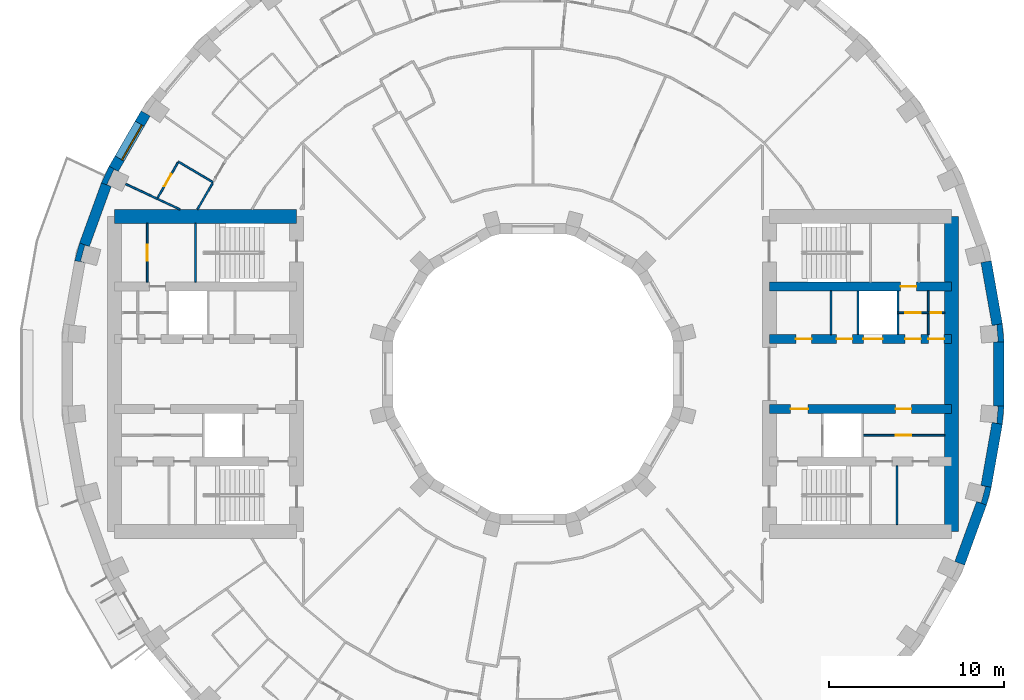
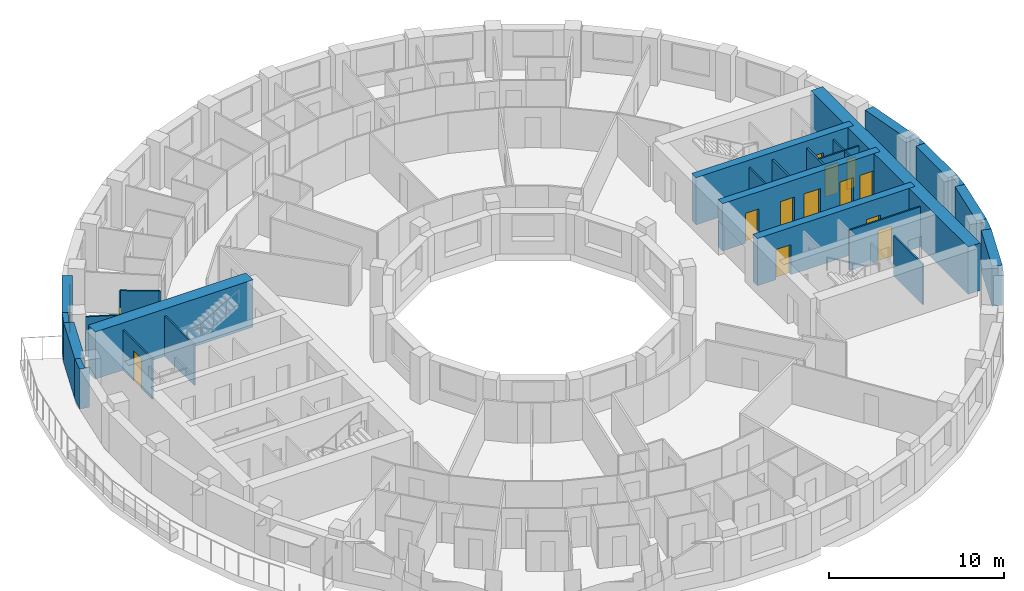
# One storey, part 7 of 13: 30 walls, 13 doors, 1 window, 14 openings.
"""IFC4 building model written with IfcOpenShell, lengths in metres."""

from ifc_helpers import new_model, si_unit, direction, frame, frame_2d, origin, place, context, subcontext, project, spatial, polyline, rectangle, outline, extrude, material, layer, layer_set, type_object, element, fill, save


model = new_model("IFC4")

# Units and contexts
model_context = context("Model", 3, precision=1e-05, world=origin(), true_north=direction((0.0, 1.0)))
body_context = subcontext(model_context, "Body", "Model", "MODEL_VIEW")
ifc_project = project(units=[si_unit("LENGTHUNIT", "METRE"), si_unit("AREAUNIT", "SQUARE_METRE"), si_unit("VOLUMEUNIT", "CUBIC_METRE"), si_unit("PLANEANGLEUNIT", "RADIAN"), si_unit("MASSUNIT", "GRAM", prefix="KILO")], contexts=[model_context])

# Site, building, storey
site_placement = place(None, origin())
site = spatial("IfcSite", under=ifc_project, at=site_placement, CompositionType="ELEMENT")
building_placement = place(site_placement, origin())
building = spatial("IfcBuilding", under=site, at=building_placement, Name="Saqina Gate Tower", CompositionType="ELEMENT")
storey_placement = place(building_placement, frame((0.0, 0.0, 118.300048828125)))
storey = spatial("IfcBuildingStorey", under=building, at=storey_placement, Name="L33", CompositionType="ELEMENT", Elevation=118.300048828125)

# Walls
ifc_material_1 = material(Name="Brick masonry (buff)", Category="masonry")
wall_type_1 = type_object("IfcWallType", Name="BRICK PIER COPING BUFF", PredefinedType="SOLIDWALL", material=ifc_material_1)
wall_1_placement = place(storey_placement, origin())
element("IfcWall", 1, at=wall_1_placement, inside=storey, type_object=wall_type_1, Name="Pier cap L33 column 1", PredefinedType="SOLIDWALL", context=body_context, shape_type="SweptSolid", body=[
    extrude(outline(polyline([(26.805419921875, 2.87451171875), (26.214599609375, 2.770263671875), (26.482421875, 2.793701171875), (26.565185546875, 1.847412109375), (26.29736328125, 1.823974609375), (26.897216796875, 1.823974609375), (26.805419921875, 2.87451171875)])), origin(), (0.0, 0.0, 1.0), 2.800048828125),
])
wall_2_placement = place(storey_placement, origin())
element("IfcWall", 2, at=wall_2_placement, inside=storey, type_object=wall_type_1, Name="Pier cap L33 column 16", PredefinedType="SOLIDWALL", context=body_context, shape_type="SweptSolid", body=[
    extrude(outline(polyline([(-24.6513671875, 10.913330078125), (-24.08740234375, 10.7080078125), (-24.331298828125, 10.82177734375), (-23.9296875, 11.6826171875), (-23.68603515625, 11.569091796875), (-24.205810546875, 11.869140625), (-24.6513671875, 10.913330078125)])), origin(), (0.0, 0.0, 1.0), 2.800048828125),
])
wall_3_placement = place(storey_placement, origin())
element("IfcWall", 3, at=wall_3_placement, inside=storey, type_object=wall_type_1, Name="Pier cap L33 column 17", PredefinedType="SOLIDWALL", context=body_context, shape_type="SweptSolid", body=[
    extrude(outline(polyline([(-25.89892578125, 7.485595703125), (-26.171875, 6.466796875), (-25.5810546875, 6.36279296875), (-25.8408203125, 6.43212890625), (-25.5947265625, 7.349853515625), (-25.335205078125, 7.2802734375), (-25.89892578125, 7.485595703125)])), origin(), (0.0, 0.0, 1.0), 2.800048828125),
])
wall_4_placement = place(storey_placement, origin())
element("IfcWall", 4, at=wall_4_placement, inside=storey, type_object=wall_type_1, Name="Pier cap L33 column 35", PredefinedType="SOLIDWALL", context=body_context, shape_type="SweptSolid", body=[
    extrude(outline(polyline([(25.89892578125, -7.485595703125), (26.171875, -6.466796875), (25.5810546875, -6.36279296875), (25.8408203125, -6.43212890625), (25.5947265625, -7.349853515625), (25.335205078125, -7.2802734375), (25.89892578125, -7.485595703125)])), origin(), (0.0, 0.0, 1.0), 2.800048828125),
])
wall_5_placement = place(storey_placement, origin())
element("IfcWall", 5, at=wall_5_placement, inside=storey, type_object=wall_type_1, Name="Pier cap L33 column 36", PredefinedType="SOLIDWALL", context=body_context, shape_type="SweptSolid", body=[
    extrude(outline(polyline([(26.805419921875, -2.87451171875), (26.897216796875, -1.823974609375), (26.29736328125, -1.823974609375), (26.565185546875, -1.847412109375), (26.482421875, -2.793701171875), (26.214599609375, -2.770263671875), (26.805419921875, -2.87451171875)])), origin(), (0.0, 0.0, 1.0), 2.800048828125),
])
ifc_material_2 = material(Name="Gypsum board on steel studs", Category="steel")
ifc_layer_1 = layer(ifc_material_2, 0.10009765625)
ifc_layer_set_1 = layer_set([ifc_layer_1], Name="CORE PARTITION")
wall_type_2 = type_object("IfcWallType", Name="CORE PARTITION", PredefinedType="PARTITIONING", material=ifc_layer_set_1)
for number, where, z_axis, x_axis, name in (
    (6, (17.022216796875, 2.25, 0.0), (0.0, 0.0, 1.0), (0.0, 1.0, 0.0), "L33-CP-E01"),
    (7, (22.569091796875, 2.25, 0.0), (0.0, 0.0, 1.0), (0.0, 1.0, 0.0), "L33-CP-E04"),
):
    element("IfcWall", number, at=place(storey_placement, frame(where, z_axis=z_axis, x_axis=x_axis)), inside=storey, type_object=wall_type_2, Name=name, PredefinedType="PARTITIONING", context=body_context, shape_type="SweptSolid", body=[
        extrude(rectangle(XDim=2.5, YDim=0.10009765625, at=frame_2d((1.25, 0.0))), origin(), (0.0, 0.0, 1.0), 2.800048828125),
    ])

# Wall, opening, door
wall_6_placement = place(storey_placement, frame((20.840087890625, 3.5, 0.0), z_axis=(0.0, 0.0, 1.0), x_axis=(1.0, 0.0, 0.0)))
wall_6 = element("IfcWall", 8, at=wall_6_placement, inside=storey, type_object=wall_type_2, Name="L33-CP-E07", PredefinedType="PARTITIONING", context=body_context, shape_type="SweptSolid", body=[
    extrude(rectangle(XDim=1.72900390625, YDim=0.10009765625, at=frame_2d((0.864501953125, 0.0))), origin(), (0.0, 0.0, 1.0), 2.800048828125),
])
opening_1_placement = place(wall_6_placement, frame((0.41455078125, 0.0, 0.0)))
opening_1 = element("IfcOpeningElement", 9, at=opening_1_placement, cuts=wall_6, Name="Opening G09-D97", PredefinedType="OPENING", context=body_context, shape_type="SweptSolid", body=[
    extrude(rectangle(XDim=0.89990234375, YDim=2.10009765625, at=frame_2d((0.449951171875, 1.050048828125))), frame((0.0, 0.06201171875, 0.0), z_axis=(0.0, -1.0, 0.0), x_axis=(1.0, 0.0, 0.0)), (0.0, 0.0, 1.0), 0.1240234375),
])
ifc_material_3 = material(Name="Steel-framed fire door leaf, EI 60", Category="steel")
door_type_1 = type_object("IfcDoorType", Name="SERVICE ROOM DOOR 900", OperationType="SINGLE_SWING_LEFT", PredefinedType="DOOR", material=ifc_material_3)
door_1_placement = place(opening_1_placement, origin())
door_1 = element("IfcDoor", 10, at=door_1_placement, inside=storey, type_object=door_type_1, Name="L33-CD-E08", OperationType="SINGLE_SWING_LEFT", OverallHeight=2.10009765625, OverallWidth=0.89990234375, PredefinedType="DOOR", context=body_context, shape_type="SweptSolid", body=[
    extrude(rectangle(XDim=0.89990234375, YDim=2.10009765625, at=frame_2d((0.449951171875, 1.050048828125))), frame((0.0, 0.02490234375, 0.0), z_axis=(0.0, -1.0, 0.0), x_axis=(1.0, 0.0, 0.0)), (0.0, 0.0, 1.0), 0.050048828125),
])
fill(opening_1, door_1)

wall_7_placement = place(storey_placement, frame((22.569091796875, 3.5, 0.0), z_axis=(0.0, 0.0, 1.0), x_axis=(1.0, 0.0, 0.0)))
wall_7 = element("IfcWall", 11, at=wall_7_placement, inside=storey, type_object=wall_type_2, Name="L33-CP-E08", PredefinedType="PARTITIONING", context=body_context, shape_type="SweptSolid", body=[
    extrude(rectangle(XDim=0.930908203125, YDim=0.10009765625, at=frame_2d((0.46533203125, 0.0))), origin(), (0.0, 0.0, 1.0), 2.800048828125),
])
opening_2_placement = place(wall_7_placement, frame((0.14990234375, 0.0, 0.0)))
opening_2 = element("IfcOpeningElement", 12, at=opening_2_placement, cuts=wall_7, Name="Opening G09-D96", PredefinedType="OPENING", context=body_context, shape_type="SweptSolid", body=[
    extrude(rectangle(XDim=0.60009765625, YDim=2.10009765625, at=frame_2d((0.300048828125, 1.050048828125))), frame((0.0, 0.06201171875, 0.0), z_axis=(0.0, -1.0, 0.0), x_axis=(1.0, 0.0, 0.0)), (0.0, 0.0, 1.0), 0.1240234375),
])
ifc_material_4 = material(Name="Steel-framed fire door leaf, EI 60", Category="steel")
door_type_2 = type_object("IfcDoorType", Name="SERVICE ROOM DOOR 600", OperationType="SINGLE_SWING_LEFT", PredefinedType="DOOR", material=ifc_material_4)
door_2_placement = place(opening_2_placement, origin())
door_2 = element("IfcDoor", 13, at=door_2_placement, inside=storey, type_object=door_type_2, Name="L33-CD-E07", OperationType="SINGLE_SWING_RIGHT", OverallHeight=2.10009765625, OverallWidth=0.60009765625, PredefinedType="DOOR", context=body_context, shape_type="SweptSolid", body=[
    extrude(rectangle(XDim=0.60009765625, YDim=2.10009765625, at=frame_2d((0.300048828125, 1.050048828125))), frame((0.0, 0.02490234375, 0.0), z_axis=(0.0, -1.0, 0.0), x_axis=(1.0, 0.0, 0.0)), (0.0, 0.0, 1.0), 0.050048828125),
])
fill(opening_2, door_2)

wall_8_placement = place(storey_placement, frame((18.81005859375, -3.5, 0.0), z_axis=(0.0, 0.0, 1.0), x_axis=(1.0, 0.0, 0.0)))
wall_8 = element("IfcWall", 14, at=wall_8_placement, inside=storey, type_object=wall_type_2, Name="L33-CP-E09", PredefinedType="PARTITIONING", context=body_context, shape_type="SweptSolid", body=[
    extrude(rectangle(XDim=4.68994140625, YDim=0.10009765625, at=frame_2d((2.344970703125, 0.0))), origin(), (0.0, 0.0, 1.0), 2.800048828125),
])
opening_3_placement = place(wall_8_placement, frame((1.89501953125, 0.0, 0.0)))
opening_3 = element("IfcOpeningElement", 15, at=opening_3_placement, cuts=wall_8, Name="Opening G09-D100", PredefinedType="OPENING", context=body_context, shape_type="SweptSolid", body=[
    extrude(rectangle(XDim=0.89990234375, YDim=2.10009765625, at=frame_2d((0.449951171875, 1.050048828125))), frame((0.0, 0.06201171875, 0.0), z_axis=(0.0, -1.0, 0.0), x_axis=(1.0, 0.0, 0.0)), (0.0, 0.0, 1.0), 0.1240234375),
])
door_3_placement = place(opening_3_placement, frame((0.89990234375, 0.0, 0.0), z_axis=(0.0, 0.0, 1.0), x_axis=(-1.0, 0.0, 0.0)))
door_3 = element("IfcDoor", 16, at=door_3_placement, inside=storey, type_object=door_type_1, Name="L33-CD-E11", OperationType="SINGLE_SWING_RIGHT", OverallHeight=2.10009765625, OverallWidth=0.89990234375, PredefinedType="DOOR", context=body_context, shape_type="SweptSolid", body=[
    extrude(rectangle(XDim=0.89990234375, YDim=2.10009765625, at=frame_2d((0.449951171875, 1.050048828125))), frame((0.0, 0.02490234375, 0.0), z_axis=(0.0, -1.0, 0.0), x_axis=(1.0, 0.0, 0.0)), (0.0, 0.0, 1.0), 0.050048828125),
])
fill(opening_3, door_3)

# Wall
wall_9_placement = place(storey_placement, frame((20.782958984375, -8.60009765625, 0.0), z_axis=(0.0, 0.0, 1.0), x_axis=(0.0, 1.0, 0.0)))
element("IfcWall", 17, at=wall_9_placement, inside=storey, type_object=wall_type_2, Name="L33-CP-E13", PredefinedType="PARTITIONING", context=body_context, shape_type="SweptSolid", body=[
    extrude(rectangle(XDim=3.35009765625, YDim=0.10009765625, at=frame_2d((1.675048828125, 0.0))), origin(), (0.0, 0.0, 1.0), 2.800048828125),
])

# Wall, opening, door
wall_10_placement = place(storey_placement, frame((-22.037109375, 5.25, 0.0), z_axis=(0.0, 0.0, 1.0), x_axis=(0.0, 1.0, 0.0)))
wall_10 = element("IfcWall", 18, at=wall_10_placement, inside=storey, type_object=wall_type_2, Name="L33-CP-W11", PredefinedType="PARTITIONING", context=body_context, shape_type="SweptSolid", body=[
    extrude(rectangle(XDim=3.35009765625, YDim=0.10009765625, at=frame_2d((1.675048828125, 0.0))), origin(), (0.0, 0.0, 1.0), 2.800048828125),
])
opening_4_placement = place(wall_10_placement, frame((1.22509765625, 0.0, 0.0)))
opening_4 = element("IfcOpeningElement", 19, at=opening_4_placement, cuts=wall_10, Name="Opening G09-D115", PredefinedType="OPENING", context=body_context, shape_type="SweptSolid", body=[
    extrude(rectangle(XDim=0.89990234375, YDim=2.10009765625, at=frame_2d((0.449951171875, 1.050048828125))), frame((0.0, 0.06201171875, 0.0), z_axis=(0.0, -1.0, 0.0), x_axis=(1.0, 0.0, 0.0)), (0.0, 0.0, 1.0), 0.1240234375),
])
door_4_placement = place(opening_4_placement, frame((0.89990234375, 0.0, 0.0), z_axis=(0.0, 0.0, 1.0), x_axis=(-1.0, 0.0, 0.0)))
door_4 = element("IfcDoor", 20, at=door_4_placement, inside=storey, type_object=door_type_1, Name="L33-CD-W26", OperationType="SINGLE_SWING_LEFT", OverallHeight=2.10009765625, OverallWidth=0.89990234375, PredefinedType="DOOR", context=body_context, shape_type="SweptSolid", body=[
    extrude(rectangle(XDim=0.89990234375, YDim=2.10009765625, at=frame_2d((0.449951171875, 1.050048828125))), frame((0.0, 0.02490234375, 0.0), z_axis=(0.0, -1.0, 0.0), x_axis=(1.0, 0.0, 0.0)), (0.0, 0.0, 1.0), 0.050048828125),
])
fill(opening_4, door_4)

# Wall, opening, window
ifc_material_5 = material(Name="Brick masonry (buff)", Category="masonry")
ifc_layer_2 = layer(ifc_material_5, 0.60009765625)
ifc_layer_set_2 = layer_set([ifc_layer_2], Name="FW-BRICK-BUFF")
wall_type_3 = type_object("IfcWallType", Name="FW-BRICK-BUFF", PredefinedType="SOLIDWALL", material=ifc_layer_set_2)
wall_11_placement = place(storey_placement, frame((-22.1220703125, 14.878173828125, 0.0), z_axis=(0.0, 0.0, 1.0), x_axis=(-0.499954196102, -0.866051847062, 0.0)))
wall_11 = element("IfcWall", 21, at=wall_11_placement, inside=storey, type_object=wall_type_3, Name="Facade wall L33 facet 15", PredefinedType="SOLIDWALL", context=body_context, shape_type="SweptSolid", body=[
    extrude(rectangle(XDim=3.647705078125, YDim=0.60009765625, at=frame_2d((1.82373046875, 0.0))), origin(), (0.0, 0.0, 1.0), 2.800048828125),
])
opening_5_placement = place(wall_11_placement, frame((0.673828125, 0.0, 0.89990234375)))
opening_5 = element("IfcOpeningElement", 22, at=opening_5_placement, cuts=wall_11, Name="Opening G09-W13", PredefinedType="OPENING", context=body_context, shape_type="SweptSolid", body=[
    extrude(rectangle(XDim=2.300048828125, YDim=1.800048828125, at=frame_2d((1.14990234375, 0.89990234375))), frame((0.0, 0.31201171875, 0.0), z_axis=(0.0, -1.0, 0.0), x_axis=(1.0, 0.0, 0.0)), (0.0, 0.0, 1.0), 0.6240234375),
])
ifc_material_6 = material(Name="Aluminium glazing", Category="aluminium")
window_type = type_object("IfcWindowType", Name="WN-B", PartitioningType="SINGLE_PANEL", PredefinedType="WINDOW", material=ifc_material_6)
window_placement = place(opening_5_placement, origin())
window = element("IfcWindow", 23, at=window_placement, inside=storey, type_object=window_type, Name="Window L33 facet 15", OverallHeight=1.800048828125, OverallWidth=2.300048828125, PartitioningType="SINGLE_PANEL", PredefinedType="WINDOW", context=body_context, shape_type="SweptSolid", body=[
    extrude(rectangle(XDim=2.300048828125, YDim=1.800048828125, at=frame_2d((1.14990234375, 0.89990234375))), frame((0.0, 0.179931640625, 0.0), z_axis=(0.0, -1.0, 0.0), x_axis=(1.0, 0.0, 0.0)), (0.0, 0.0, 1.0), 0.06005859375),
])
fill(opening_5, window)

# Walls
ifc_material_7 = material(Name="Glazed ceramic tile", Category="ceramic")
ifc_layer_3 = layer(ifc_material_7, 0.60009765625)
ifc_layer_set_3 = layer_set([ifc_layer_3], Name="FW-TILE")
wall_type_4 = type_object("IfcWallType", Name="FW-TILE", PredefinedType="SOLIDWALL", material=ifc_layer_set_3)
for number, where, z_axis, x_axis, name in (
    (24, (-24.369384765625, 10.810791015625, 0.0), (0.0, 0.0, 1.0), (-0.341990236633, -0.939703505393, 0.0), "Facade wall L33 facet 16"),
    (25, (24.369384765625, -10.810791015625, 0.0), (0.0, 0.0, 1.0), (0.341990236633, 0.939703505393, 0.0), "Facade wall L33 facet 34"),
    (26, (26.59716796875, -1.823974609375, 0.0), (0.0, 0.0, 1.0), (0.0, 1.0, 0.0), "Facade wall L33 facet 36"),
):
    element("IfcWall", number, at=place(storey_placement, frame(where, z_axis=z_axis, x_axis=x_axis)), inside=storey, type_object=wall_type_4, Name=name, PredefinedType="SOLIDWALL", context=body_context, shape_type="SweptSolid", body=[
        extrude(rectangle(XDim=3.64794921875, YDim=0.60009765625, at=frame_2d((1.823974609375, 0.0))), origin(), (0.0, 0.0, 1.0), 2.800048828125),
    ])
ifc_material_8 = material(Name="Glazed ceramic tile (dark blue)", Category="ceramic")
ifc_layer_4 = layer(ifc_material_8, 0.60009765625)
ifc_layer_set_4 = layer_set([ifc_layer_4], Name="FW-TILE-CB")
wall_type_5 = type_object("IfcWallType", Name="FW-TILE-CB", PredefinedType="SOLIDWALL", material=ifc_layer_set_4)
wall_12_placement = place(storey_placement, frame((26.510009765625, 2.822265625, 0.0), z_axis=(0.0, 0.0, 1.0), x_axis=(-0.173670796382, 0.984803764455, 0.0)))
element("IfcWall", 27, at=wall_12_placement, inside=storey, type_object=wall_type_5, Name="Facade wall L33 facet 1", PredefinedType="SOLIDWALL", context=body_context, shape_type="SweptSolid", body=[
    extrude(rectangle(XDim=3.64794921875, YDim=0.60009765625, at=frame_2d((1.823974609375, 0.0))), origin(), (0.0, 0.0, 1.0), 2.800048828125),
])
ifc_material_9 = material(Name="Glazed ceramic tile (white)", Category="ceramic")
ifc_layer_5 = layer(ifc_material_9, 0.60009765625)
ifc_layer_set_5 = layer_set([ifc_layer_5], Name="FW-TILE-WH")
wall_type_6 = type_object("IfcWallType", Name="FW-TILE-WH", PredefinedType="SOLIDWALL", material=ifc_layer_set_5)
wall_13_placement = place(storey_placement, frame((25.87646484375, -6.414794921875, 0.0), z_axis=(0.0, 0.0, 1.0), x_axis=(0.173670796382, 0.984803764455, 0.0)))
element("IfcWall", 28, at=wall_13_placement, inside=storey, type_object=wall_type_6, Name="Facade wall L33 facet 35", PredefinedType="SOLIDWALL", context=body_context, shape_type="SweptSolid", body=[
    extrude(rectangle(XDim=3.64794921875, YDim=0.60009765625, at=frame_2d((1.823974609375, 0.0))), origin(), (0.0, 0.0, 1.0), 2.800048828125),
])
ifc_material_10 = material(Name="Gypsum board on steel studs, 100 mm", Category="steel")
ifc_layer_6 = layer(ifc_material_10, 0.10009765625)
ifc_layer_set_6 = layer_set([ifc_layer_6], Name="PARTITION 100")
wall_type_7 = type_object("IfcWallType", Name="PARTITION 100", PredefinedType="PARTITIONING", material=ifc_layer_set_6)
wall_14_placement = place(storey_placement, frame((-20.2470703125, 12.1259765625, 0.0), z_axis=(0.0, 0.0, 1.0), x_axis=(0.857988737522, -0.513668498435, 0.0)))
element("IfcWall", 29, at=wall_14_placement, inside=storey, type_object=wall_type_7, Name="PARTITION PW3-30", PredefinedType="PARTITIONING", context=body_context, shape_type="SweptSolid", body=[
    extrude(rectangle(XDim=2.30078125, YDim=0.10009765625, at=frame_2d((1.150390625, 0.0))), origin(), (0.0, 0.0, 1.0), 2.800048828125),
])
wall_15_placement = place(storey_placement, frame((-23.26025390625, 10.846923828125, 0.0), z_axis=(0.0, 0.0, 1.0), x_axis=(0.906263293643, -0.422713665021, 0.0)))
element("IfcWall", 30, at=wall_15_placement, inside=storey, type_object=wall_type_7, Name="PARTITION PW3-37", PredefinedType="PARTITIONING", context=body_context, shape_type="SweptSolid", body=[
    extrude(rectangle(XDim=3.423095703125, YDim=0.10009765625, at=frame_2d((1.71142578125, 0.0))), origin(), (0.0, 0.0, 1.0), 2.800048828125),
])
wall_16_placement = place(storey_placement, frame((-19.1650390625, 9.39990234375, 0.0), z_axis=(0.0, 0.0, 1.0), x_axis=(0.500214230422, 0.865901682458, 0.0)))
element("IfcWall", 31, at=wall_16_placement, inside=storey, type_object=wall_type_7, Name="PARTITION PW3-89", PredefinedType="PARTITIONING", context=body_context, shape_type="SweptSolid", body=[
    extrude(rectangle(XDim=1.733154296875, YDim=0.10009765625, at=frame_2d((0.86669921875, 0.0))), origin(), (0.0, 0.0, 1.0), 2.800048828125),
])

# Wall, opening, door
wall_17_placement = place(storey_placement, frame((-21.443115234375, 10.05419921875, 0.0), z_axis=(0.0, 0.0, 1.0), x_axis=(0.499984100898, 0.86603458294, 0.0)))
wall_17 = element("IfcWall", 32, at=wall_17_placement, inside=storey, type_object=wall_type_7, Name="PARTITION PW3-90", PredefinedType="PARTITIONING", context=body_context, shape_type="SweptSolid", body=[
    extrude(rectangle(XDim=2.34228515625, YDim=0.10009765625, at=frame_2d((1.171142578125, 0.0))), origin(), (0.0, 0.0, 1.0), 2.800048828125),
])
opening_6_placement = place(wall_17_placement, frame((0.77099609375, 0.0, 0.0)))
opening_6 = element("IfcOpeningElement", 33, at=opening_6_placement, cuts=wall_17, Name="Opening G09-D28", PredefinedType="OPENING", context=body_context, shape_type="SweptSolid", body=[
    extrude(rectangle(XDim=0.800048828125, YDim=2.10009765625, at=frame_2d((0.39990234375, 1.050048828125))), frame((0.0, 0.06201171875, 0.0), z_axis=(0.0, -1.0, 0.0), x_axis=(1.0, 0.0, 0.0)), (0.0, 0.0, 1.0), 0.1240234375),
])
ifc_material_11 = material(Name="Timber door leaf, 800 mm", Category="wood")
door_type_3 = type_object("IfcDoorType", Name="DOOR 800 TIMBER", OperationType="SINGLE_SWING_LEFT", PredefinedType="DOOR", material=ifc_material_11)
door_5_placement = place(opening_6_placement, origin())
door_5 = element("IfcDoor", 34, at=door_5_placement, inside=storey, type_object=door_type_3, Name="DOOR G09-D28", OperationType="SINGLE_SWING_RIGHT", OverallHeight=2.10009765625, OverallWidth=0.800048828125, PredefinedType="DOOR", context=body_context, shape_type="SweptSolid", body=[
    extrude(rectangle(XDim=0.800048828125, YDim=2.10009765625, at=frame_2d((0.39990234375, 1.050048828125))), frame((0.0, 0.02490234375, 0.0), z_axis=(0.0, -1.0, 0.0), x_axis=(1.0, 0.0, 0.0)), (0.0, 0.0, 1.0), 0.050048828125),
])
fill(opening_6, door_5)

# Walls
ifc_material_12 = material(Name="Autoclaved aerated concrete block", Category="concrete")
ifc_layer_7 = layer(ifc_material_12, 0.1201171875)
ifc_layer_set_7 = layer_set([ifc_layer_7], Name="SHAFT PARTITION")
wall_type_8 = type_object("IfcWallType", Name="SHAFT PARTITION", PredefinedType="PARTITIONING", material=ifc_layer_set_7)
for number, where, z_axis, x_axis, name in (
    (35, (18.56005859375, 2.25, 0.0), (0.0, 0.0, 1.0), (0.0, 1.0, 0.0), "L33-CP-E02"),
    (36, (20.840087890625, 2.25, 0.0), (0.0, 0.0, 1.0), (0.0, 1.0, 0.0), "L33-CP-E03"),
):
    element("IfcWall", number, at=place(storey_placement, frame(where, z_axis=z_axis, x_axis=x_axis)), inside=storey, type_object=wall_type_8, Name=name, PredefinedType="PARTITIONING", context=body_context, shape_type="SweptSolid", body=[
        extrude(rectangle(XDim=2.5, YDim=0.1201171875, at=frame_2d((1.25, 0.0))), origin(), (0.0, 0.0, 1.0), 2.800048828125),
    ])
ifc_material_13 = material(Name="Autoclaved aerated concrete block", Category="concrete")
ifc_layer_8 = layer(ifc_material_13, 0.10009765625)
ifc_layer_set_8 = layer_set([ifc_layer_8], Name="STAIR ENCLOSURE WALL")
wall_type_9 = type_object("IfcWallType", Name="STAIR ENCLOSURE WALL", PredefinedType="PARTITIONING", material=ifc_layer_set_8)
wall_18_placement = place(storey_placement, frame((-19.27001953125, 5.25, 0.0), z_axis=(0.0, 0.0, 1.0), x_axis=(0.0, 1.0, 0.0)))
element("IfcWall", 37, at=wall_18_placement, inside=storey, type_object=wall_type_9, Name="L33-CP-W10", PredefinedType="PARTITIONING", context=body_context, shape_type="SweptSolid", body=[
    extrude(rectangle(XDim=3.35009765625, YDim=0.10009765625, at=frame_2d((1.675048828125, 0.0))), origin(), (0.0, 0.0, 1.0), 2.800048828125),
])

# Wall, opening, door
ifc_material_14 = material(Name="Concrete C70/85", Category="concrete")
ifc_layer_9 = layer(ifc_material_14, 0.5)
ifc_layer_set_9 = layer_set([ifc_layer_9], Name="Concrete C70/85")
wall_type_10 = type_object("IfcWallType", Name="STR-CORE WALL-B-I", PredefinedType="SHEAR", material=ifc_layer_set_9)
wall_19_placement = place(storey_placement, frame((13.5, 5.0, 0.0), z_axis=(0.0, 0.0, 1.0), x_axis=(1.0, 0.0, 0.0)))
wall_19 = element("IfcWall", 38, at=wall_19_placement, inside=storey, type_object=wall_type_10, Name="CORE WALL L33 E-X1", PredefinedType="SHEAR", context=body_context, shape_type="SweptSolid", body=[
    extrude(rectangle(XDim=10.39990234375, YDim=0.5, at=frame_2d((5.199951171875, 0.0))), origin(), (0.0, 0.0, 1.0), 3.300048828125),
])
opening_7_placement = place(wall_19_placement, frame((7.488525390625, 0.0, 0.0)))
opening_7 = element("IfcOpeningElement", 39, at=opening_7_placement, cuts=wall_19, Name="Opening G09-D99", PredefinedType="OPENING", context=body_context, shape_type="SweptSolid", body=[
    extrude(rectangle(XDim=0.89990234375, YDim=2.10009765625, at=frame_2d((0.449951171875, 1.050048828125))), frame((0.0, 0.261962890625, 0.0), z_axis=(0.0, -1.0, 0.0), x_axis=(1.0, 0.0, 0.0)), (0.0, 0.0, 1.0), 0.52392578125),
])
door_6_placement = place(opening_7_placement, origin())
door_6 = element("IfcDoor", 40, at=door_6_placement, inside=storey, type_object=door_type_1, Name="L33-CD-E10", OperationType="SINGLE_SWING_RIGHT", OverallHeight=2.10009765625, OverallWidth=0.89990234375, PredefinedType="DOOR", context=body_context, shape_type="SweptSolid", body=[
    extrude(rectangle(XDim=0.89990234375, YDim=2.10009765625, at=frame_2d((0.449951171875, 1.050048828125))), frame((0.0, 0.02490234375, 0.0), z_axis=(0.0, -1.0, 0.0), x_axis=(1.0, 0.0, 0.0)), (0.0, 0.0, 1.0), 0.050048828125),
])
fill(opening_7, door_6)

# Wall, openings, doors
wall_20_placement = place(storey_placement, frame((13.5, 2.0, 0.0), z_axis=(0.0, 0.0, 1.0), x_axis=(1.0, 0.0, 0.0)))
wall_20 = element("IfcWall", 41, at=wall_20_placement, inside=storey, type_object=wall_type_10, Name="CORE WALL L33 E-L1", PredefinedType="SHEAR", context=body_context, shape_type="SweptSolid", body=[
    extrude(rectangle(XDim=10.39990234375, YDim=0.5, at=frame_2d((5.199951171875, 0.0))), origin(), (0.0, 0.0, 1.0), 3.300048828125),
])
opening_8_placement = place(wall_20_placement, frame((5.3701171875, 0.0, 0.0)))
opening_8 = element("IfcOpeningElement", 42, at=opening_8_placement, cuts=wall_20, Name="Opening G09-LD1", PredefinedType="OPENING", context=body_context, shape_type="SweptSolid", body=[
    extrude(rectangle(XDim=1.10009765625, YDim=2.10009765625, at=frame_2d((0.550048828125, 1.050048828125))), frame((0.0, 0.261962890625, 0.0), z_axis=(0.0, -1.0, 0.0), x_axis=(1.0, 0.0, 0.0)), (0.0, 0.0, 1.0), 0.52392578125),
])
opening_9_placement = place(wall_20_placement, frame((1.510986328125, 0.0, 0.0)))
opening_9 = element("IfcOpeningElement", 43, at=opening_9_placement, cuts=wall_20, Name="Opening G09-D90", PredefinedType="OPENING", context=body_context, shape_type="SweptSolid", body=[
    extrude(rectangle(XDim=0.89990234375, YDim=2.10009765625, at=frame_2d((0.449951171875, 1.050048828125))), frame((0.0, 0.261962890625, 0.0), z_axis=(0.0, -1.0, 0.0), x_axis=(1.0, 0.0, 0.0)), (0.0, 0.0, 1.0), 0.52392578125),
])
opening_10_placement = place(wall_20_placement, frame((3.841064453125, 0.0, 0.0)))
opening_10 = element("IfcOpeningElement", 44, at=opening_10_placement, cuts=wall_20, Name="Opening G09-D91", PredefinedType="OPENING", context=body_context, shape_type="SweptSolid", body=[
    extrude(rectangle(XDim=0.89990234375, YDim=2.10009765625, at=frame_2d((0.449951171875, 1.050048828125))), frame((0.0, 0.261962890625, 0.0), z_axis=(0.0, -1.0, 0.0), x_axis=(1.0, 0.0, 0.0)), (0.0, 0.0, 1.0), 0.52392578125),
])
opening_11_placement = place(wall_20_placement, frame((7.75439453125, 0.0, 0.0)))
opening_11 = element("IfcOpeningElement", 45, at=opening_11_placement, cuts=wall_20, Name="Opening G09-D92", PredefinedType="OPENING", context=body_context, shape_type="SweptSolid", body=[
    extrude(rectangle(XDim=0.89990234375, YDim=2.10009765625, at=frame_2d((0.449951171875, 1.050048828125))), frame((0.0, 0.261962890625, 0.0), z_axis=(0.0, -1.0, 0.0), x_axis=(1.0, 0.0, 0.0)), (0.0, 0.0, 1.0), 0.52392578125),
])
opening_12_placement = place(wall_20_placement, frame((9.08447265625, 0.0, 0.0)))
opening_12 = element("IfcOpeningElement", 46, at=opening_12_placement, cuts=wall_20, Name="Opening G09-D93", PredefinedType="OPENING", context=body_context, shape_type="SweptSolid", body=[
    extrude(rectangle(XDim=0.89990234375, YDim=2.10009765625, at=frame_2d((0.449951171875, 1.050048828125))), frame((0.0, 0.261962890625, 0.0), z_axis=(0.0, -1.0, 0.0), x_axis=(1.0, 0.0, 0.0)), (0.0, 0.0, 1.0), 0.52392578125),
])
ifc_material_15 = material(Name="Stainless steel", Category="steel")
door_type_4 = type_object("IfcDoorType", Name="LANDING DOOR", OperationType="DOUBLE_DOOR_SLIDING", PredefinedType="DOOR", material=ifc_material_15)
door_7_placement = place(opening_8_placement, origin())
door_7 = element("IfcDoor", 47, at=door_7_placement, inside=storey, type_object=door_type_4, Name="LANDING DOOR MR1", OperationType="DOUBLE_DOOR_SLIDING", OverallHeight=2.10009765625, OverallWidth=1.10009765625, PredefinedType="DOOR", context=body_context, shape_type="SweptSolid", body=[
    extrude(rectangle(XDim=1.10009765625, YDim=2.10009765625, at=frame_2d((0.550048828125, 1.050048828125))), frame((0.0, 0.02490234375, 0.0), z_axis=(0.0, -1.0, 0.0), x_axis=(1.0, 0.0, 0.0)), (0.0, 0.0, 1.0), 0.050048828125),
])
fill(opening_8, door_7)
door_8_placement = place(opening_9_placement, origin())
door_8 = element("IfcDoor", 48, at=door_8_placement, inside=storey, type_object=door_type_1, Name="L33-CD-E01", OperationType="SINGLE_SWING_LEFT", OverallHeight=2.10009765625, OverallWidth=0.89990234375, PredefinedType="DOOR", context=body_context, shape_type="SweptSolid", body=[
    extrude(rectangle(XDim=0.89990234375, YDim=2.10009765625, at=frame_2d((0.449951171875, 1.050048828125))), frame((0.0, 0.02490234375, 0.0), z_axis=(0.0, -1.0, 0.0), x_axis=(1.0, 0.0, 0.0)), (0.0, 0.0, 1.0), 0.050048828125),
])
fill(opening_9, door_8)
door_9_placement = place(opening_10_placement, origin())
door_9 = element("IfcDoor", 49, at=door_9_placement, inside=storey, type_object=door_type_1, Name="L33-CD-E02", OperationType="SINGLE_SWING_RIGHT", OverallHeight=2.10009765625, OverallWidth=0.89990234375, PredefinedType="DOOR", context=body_context, shape_type="SweptSolid", body=[
    extrude(rectangle(XDim=0.89990234375, YDim=2.10009765625, at=frame_2d((0.449951171875, 1.050048828125))), frame((0.0, 0.02490234375, 0.0), z_axis=(0.0, -1.0, 0.0), x_axis=(1.0, 0.0, 0.0)), (0.0, 0.0, 1.0), 0.050048828125),
])
fill(opening_10, door_9)
door_10_placement = place(opening_11_placement, origin())
door_10 = element("IfcDoor", 50, at=door_10_placement, inside=storey, type_object=door_type_1, Name="L33-CD-E03", OperationType="SINGLE_SWING_LEFT", OverallHeight=2.10009765625, OverallWidth=0.89990234375, PredefinedType="DOOR", context=body_context, shape_type="SweptSolid", body=[
    extrude(rectangle(XDim=0.89990234375, YDim=2.10009765625, at=frame_2d((0.449951171875, 1.050048828125))), frame((0.0, 0.02490234375, 0.0), z_axis=(0.0, -1.0, 0.0), x_axis=(1.0, 0.0, 0.0)), (0.0, 0.0, 1.0), 0.050048828125),
])
fill(opening_11, door_10)
door_11_placement = place(opening_12_placement, origin())
door_11 = element("IfcDoor", 51, at=door_11_placement, inside=storey, type_object=door_type_1, Name="L33-CD-E04", OperationType="SINGLE_SWING_RIGHT", OverallHeight=2.10009765625, OverallWidth=0.89990234375, PredefinedType="DOOR", context=body_context, shape_type="SweptSolid", body=[
    extrude(rectangle(XDim=0.89990234375, YDim=2.10009765625, at=frame_2d((0.449951171875, 1.050048828125))), frame((0.0, 0.02490234375, 0.0), z_axis=(0.0, -1.0, 0.0), x_axis=(1.0, 0.0, 0.0)), (0.0, 0.0, 1.0), 0.050048828125),
])
fill(opening_12, door_11)

wall_21_placement = place(storey_placement, frame((13.5, -2.0, 0.0), z_axis=(0.0, 0.0, 1.0), x_axis=(1.0, 0.0, 0.0)))
wall_21 = element("IfcWall", 52, at=wall_21_placement, inside=storey, type_object=wall_type_10, Name="CORE WALL L33 E-L2", PredefinedType="SHEAR", context=body_context, shape_type="SweptSolid", body=[
    extrude(rectangle(XDim=10.39990234375, YDim=0.5, at=frame_2d((5.199951171875, 0.0))), origin(), (0.0, 0.0, 1.0), 3.300048828125),
])
opening_13_placement = place(wall_21_placement, frame((1.215087890625, 0.0, 0.0)))
opening_13 = element("IfcOpeningElement", 53, at=opening_13_placement, cuts=wall_21, Name="Opening G09-D94", PredefinedType="OPENING", context=body_context, shape_type="SweptSolid", body=[
    extrude(rectangle(XDim=1.0, YDim=2.10009765625, at=frame_2d((0.5, 1.050048828125))), frame((0.0, 0.261962890625, 0.0), z_axis=(0.0, -1.0, 0.0), x_axis=(1.0, 0.0, 0.0)), (0.0, 0.0, 1.0), 0.52392578125),
])
opening_14_placement = place(wall_21_placement, frame((7.205078125, 0.0, 0.0)))
opening_14 = element("IfcOpeningElement", 54, at=opening_14_placement, cuts=wall_21, Name="Opening G09-D95", PredefinedType="OPENING", context=body_context, shape_type="SweptSolid", body=[
    extrude(rectangle(XDim=0.89990234375, YDim=2.10009765625, at=frame_2d((0.449951171875, 1.050048828125))), frame((0.0, 0.261962890625, 0.0), z_axis=(0.0, -1.0, 0.0), x_axis=(1.0, 0.0, 0.0)), (0.0, 0.0, 1.0), 0.52392578125),
])
ifc_material_16 = material(Name="Steel", Category="steel")
door_type_5 = type_object("IfcDoorType", Name="FIRE LOBBY DOOR EI 60", OperationType="SINGLE_SWING_LEFT", PredefinedType="DOOR", material=ifc_material_16)
door_12_placement = place(opening_13_placement, origin())
door_12 = element("IfcDoor", 55, at=door_12_placement, inside=storey, type_object=door_type_5, Name="L33-CD-E05", OperationType="SINGLE_SWING_LEFT", OverallHeight=2.10009765625, OverallWidth=1.0, PredefinedType="DOOR", context=body_context, shape_type="SweptSolid", body=[
    extrude(rectangle(XDim=1.0, YDim=2.10009765625, at=frame_2d((0.5, 1.050048828125))), frame((0.0, 0.02490234375, 0.0), z_axis=(0.0, -1.0, 0.0), x_axis=(1.0, 0.0, 0.0)), (0.0, 0.0, 1.0), 0.050048828125),
])
fill(opening_13, door_12)
door_13_placement = place(opening_14_placement, frame((0.89990234375, 0.0, 0.0), z_axis=(0.0, 0.0, 1.0), x_axis=(-1.0, 0.0, 0.0)))
door_13 = element("IfcDoor", 56, at=door_13_placement, inside=storey, type_object=door_type_1, Name="L33-CD-E06", OperationType="SINGLE_SWING_LEFT", OverallHeight=2.10009765625, OverallWidth=0.89990234375, PredefinedType="DOOR", context=body_context, shape_type="SweptSolid", body=[
    extrude(rectangle(XDim=0.89990234375, YDim=2.10009765625, at=frame_2d((0.449951171875, 1.050048828125))), frame((0.0, 0.02490234375, 0.0), z_axis=(0.0, -1.0, 0.0), x_axis=(1.0, 0.0, 0.0)), (0.0, 0.0, 1.0), 0.050048828125),
])
fill(opening_14, door_13)

# Walls
ifc_material_17 = material(Name="Concrete C70/85", Category="concrete")
ifc_layer_10 = layer(ifc_material_17, 0.800048828125)
ifc_layer_set_10 = layer_set([ifc_layer_10], Name="Concrete C70/85")
wall_type_11 = type_object("IfcWallType", Name="STR-CORE WALL-B-O", PredefinedType="SHEAR", material=ifc_layer_set_10)
wall_22_placement = place(storey_placement, frame((23.89990234375, -9.0, 0.0), z_axis=(0.0, 0.0, 1.0), x_axis=(0.0, 1.0, 0.0)))
element("IfcWall", 57, at=wall_22_placement, inside=storey, type_object=wall_type_11, Name="CORE WALL L33 E-W2", PredefinedType="SHEAR", context=body_context, shape_type="SweptSolid", body=[
    extrude(rectangle(XDim=18.0, YDim=0.800048828125, at=frame_2d((9.0, 0.0))), origin(), (0.0, 0.0, 1.0), 3.300048828125),
])
wall_23_placement = place(storey_placement, frame((-13.5, 9.0, 0.0), z_axis=(0.0, 0.0, 1.0), x_axis=(-1.0, 0.0, 0.0)))
element("IfcWall", 58, at=wall_23_placement, inside=storey, type_object=wall_type_11, Name="CORE WALL L33 W-NE", PredefinedType="SHEAR", context=body_context, shape_type="SweptSolid", body=[
    extrude(rectangle(XDim=10.39990234375, YDim=0.800048828125, at=frame_2d((5.199951171875, 0.0))), origin(), (0.0, 0.0, 1.0), 3.300048828125),
])

save(model, "model.ifc")
